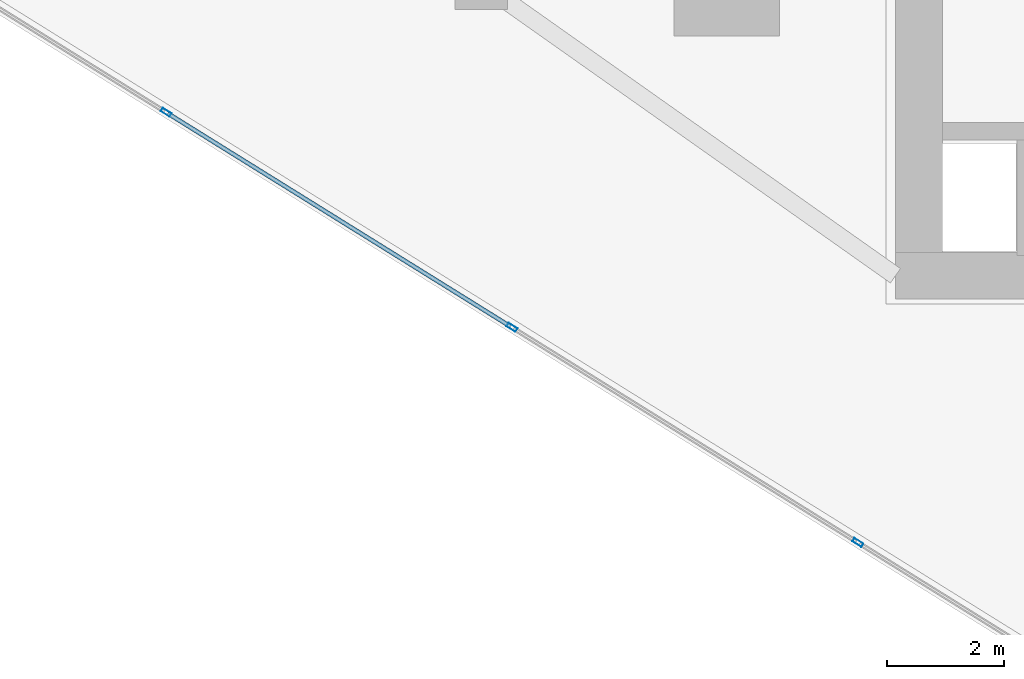
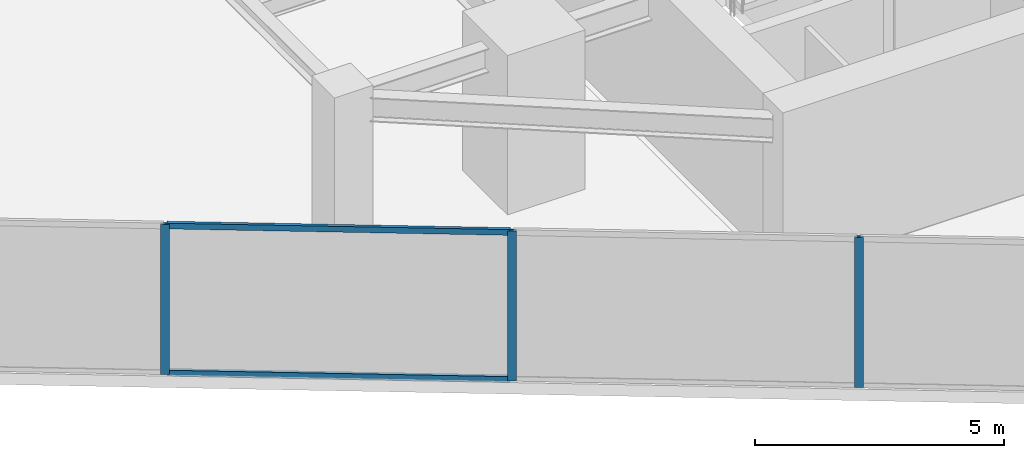
# One storey, part 2 of 26: 5 members, 1 element without a shape of its own.
"""IFC4 building model written with IfcOpenShell, lengths in metres."""

from ifc_helpers import new_model, si_unit, direction, frame, origin, origin_2d, place, context, subcontext, project, spatial, hollow_rectangle, extrude, source, transform, mapped, material, material_profile, profile_set, type_object, type_shapes, element, aggregate, save


model = new_model("IFC4")

# Units and contexts
model_context = context("Model", 3, precision=1e-05, world=origin(), true_north=direction((0.0, 1.0)))
body_context = subcontext(model_context, "Body", "Model", "MODEL_VIEW")
ifc_project = project(units=[si_unit("LENGTHUNIT", "METRE"), si_unit("AREAUNIT", "SQUARE_METRE"), si_unit("VOLUMEUNIT", "CUBIC_METRE"), si_unit("PLANEANGLEUNIT", "RADIAN"), si_unit("MASSUNIT", "GRAM", prefix="KILO")], contexts=[model_context])

# Site, building, storey
site_placement = place(None, origin())
site = spatial("IfcSite", under=ifc_project, at=site_placement, CompositionType="ELEMENT")
building_placement = place(site_placement, origin())
building = spatial("IfcBuilding", under=site, at=building_placement, Name="Krantzveldt Concourse Tower", CompositionType="ELEMENT")
storey_placement = place(building_placement, frame((0.0, 0.0, 173.85009765625)))
storey = spatial("IfcBuildingStorey", under=building, at=storey_placement, Name="L42", CompositionType="ELEMENT", Elevation=173.85009765625)

# Curtain wall, members
ifc_material = material(Name="Anodised aluminium 6063-T6", Category="aluminium")
curtain_wall_type = type_object("IfcCurtainWallType", Name="CW3", PredefinedType="USERDEFINED", material=ifc_material)
curtain_wall_placement = place(storey_placement, origin())
curtain_wall = element("IfcCurtainWall", 1, at=curtain_wall_placement, inside=storey, type_object=curtain_wall_type, Name="CW-L42-F04", ObjectType="UNITISED CURTAIN WALL", PredefinedType="USERDEFINED")
ifc_material_profile_1 = material_profile(ifc_material, hollow_rectangle(XDim=0.070068359375, YDim=0.179931640625, WallThickness=0.0048828125, at=origin_2d()), Name="Anodised aluminium 6063-T6", Category="aluminium")
ifc_profile_set_1 = profile_set([ifc_material_profile_1], Name="Anodised aluminium 6063-T6 - ALU-MULL 180x70x5")
member_type_1 = type_object("IfcMemberType", Name="CW-MUL-180", PredefinedType="MULLION", material=ifc_profile_set_1)
shared_shape_1 = source(origin(), body_context, "Body", "SweptSolid", [
    extrude(hollow_rectangle(XDim=0.070068359375, YDim=0.179931640625, WallThickness=0.0048828125, at=origin_2d()), origin(), (0.0, 0.0, 1.0), 3.669921875),
])
type_shapes(member_type_1, [shared_shape_1])
member_1_placement = place(storey_placement, frame((15.6171875, 13.69189453125, 0.0), z_axis=(0.0, 0.0, 1.0), x_axis=(0.528067901977, 0.84920214961, 0.0)))
member_1 = element("IfcMember", 2, at=member_1_placement, type_object=member_type_1, Name="CW-Z34 mullion 2", PredefinedType="MULLION", context=body_context, shape_type="MappedRepresentation", body=[
    mapped(shared_shape_1, transform((0.0, 0.0, 0.0), x_axis=(1.0, 0.0, 0.0), y_axis=(0.0, 1.0, 0.0), z_axis=(0.0, 0.0, 1.0), scale=1.0)),
])
member_2_placement = place(storey_placement, frame((21.527587890625, 10.0166015625, 0.0), z_axis=(0.0, 0.0, 1.0), x_axis=(0.528067901977, 0.84920214961, 0.0)))
member_2 = element("IfcMember", 3, at=member_2_placement, type_object=member_type_1, Name="CW-Z34 mullion 3", PredefinedType="MULLION", context=body_context, shape_type="MappedRepresentation", body=[
    mapped(shared_shape_1, transform((0.0, 0.0, 0.0), x_axis=(1.0, 0.0, 0.0), y_axis=(0.0, 1.0, 0.0), z_axis=(0.0, 0.0, 1.0), scale=1.0)),
])
member_3_placement = place(storey_placement, frame((27.43798828125, 6.34130859375, 0.0), z_axis=(0.0, 0.0, 1.0), x_axis=(0.528067901977, 0.84920214961, 0.0)))
member_3 = element("IfcMember", 4, at=member_3_placement, type_object=member_type_1, Name="CW-Z34 mullion 4", PredefinedType="MULLION", context=body_context, shape_type="MappedRepresentation", body=[
    mapped(shared_shape_1, transform((0.0, 0.0, 0.0), x_axis=(1.0, 0.0, 0.0), y_axis=(0.0, 1.0, 0.0), z_axis=(0.0, 0.0, 1.0), scale=1.0)),
])
ifc_material_profile_2 = material_profile(ifc_material, hollow_rectangle(XDim=0.070068359375, YDim=0.139892578125, WallThickness=0.0048828125, at=origin_2d()), Name="Anodised aluminium 6063-T6", Category="aluminium")
ifc_profile_set_2 = profile_set([ifc_material_profile_2], Name="Anodised aluminium 6063-T6 - ALU-TRAN 140x70x5")
member_type_2 = type_object("IfcMemberType", Name="CW-TRN-150", PredefinedType="USERDEFINED", material=ifc_profile_set_2)
shared_shape_2 = source(origin(), body_context, "Body", "SweptSolid", [
    extrude(hollow_rectangle(XDim=0.070068359375, YDim=0.139892578125, WallThickness=0.0048828125, at=origin_2d()), origin(), (0.0, 0.0, 1.0), 6.8896484375),
])
type_shapes(member_type_2, [shared_shape_2])
member_4_placement = place(storey_placement, frame((15.64697265625, 13.67333984375, 0.034912109375), z_axis=(0.849208452544, -0.528057765901, 0.0), x_axis=(0.528057765901, 0.849208452544, 0.0)))
member_4 = element("IfcMember", 5, at=member_4_placement, type_object=member_type_2, Name="CW-Z34 transom 2.1", ObjectType="TRANSOM", PredefinedType="USERDEFINED", context=body_context, shape_type="MappedRepresentation", body=[
    mapped(shared_shape_2, transform((0.0, 0.0, 0.0), x_axis=(1.0, 0.0, 0.0), y_axis=(0.0, 1.0, 0.0), z_axis=(0.0, 0.0, 1.0), scale=1.0)),
])
member_5_placement = place(storey_placement, frame((15.64697265625, 13.67333984375, 3.635009765625), z_axis=(0.849208452544, -0.528057765901, 0.0), x_axis=(0.528057765901, 0.849208452544, 0.0)))
member_5 = element("IfcMember", 6, at=member_5_placement, type_object=member_type_2, Name="CW-Z34 transom 2.2", ObjectType="TRANSOM", PredefinedType="USERDEFINED", context=body_context, shape_type="MappedRepresentation", body=[
    mapped(shared_shape_2, transform((0.0, 0.0, 0.0), x_axis=(1.0, 0.0, 0.0), y_axis=(0.0, 1.0, 0.0), z_axis=(0.0, 0.0, 1.0), scale=1.0)),
])
aggregate(curtain_wall, [member_1, member_2, member_3, member_4, member_5])

save(model, "model.ifc")
